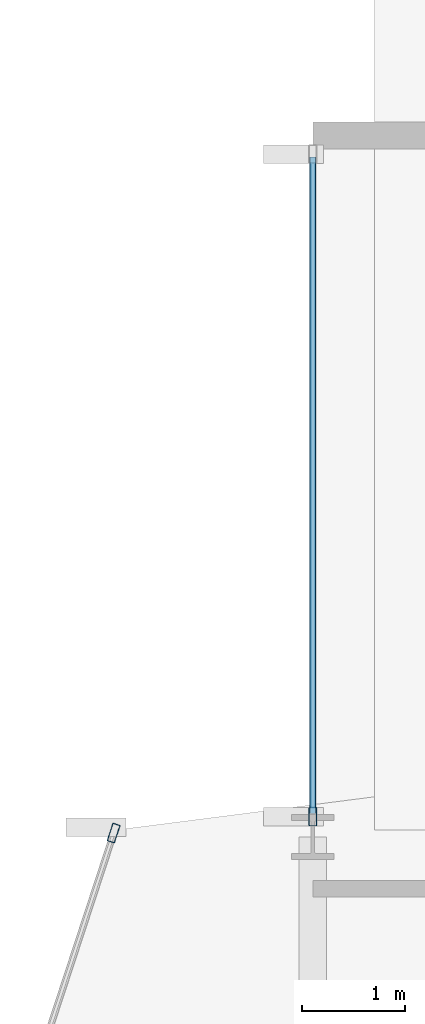
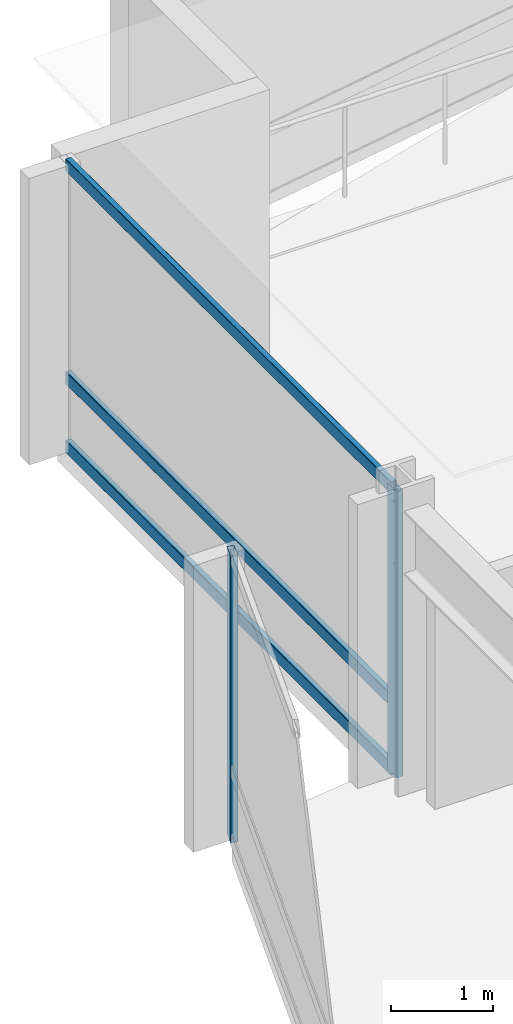
# One storey, part 16 of 29: 5 members, 2 elements without a shape of their own.
"""IFC4 building model written with IfcOpenShell, lengths in metres."""

from ifc_helpers import new_model, si_unit, direction, frame, origin, origin_2d, place, context, subcontext, project, spatial, hollow_rectangle, extrude, material, layer, layer_set, material_profile, profile_set, type_object, element, aggregate, save


model = new_model("IFC4")

# Units and contexts
model_context = context("Model", 3, precision=1e-05, world=origin(), true_north=direction((0.0, 1.0)))
body_context = subcontext(model_context, "Body", "Model", "MODEL_VIEW")
ifc_project = project(units=[si_unit("LENGTHUNIT", "METRE"), si_unit("AREAUNIT", "SQUARE_METRE"), si_unit("VOLUMEUNIT", "CUBIC_METRE"), si_unit("PLANEANGLEUNIT", "RADIAN"), si_unit("MASSUNIT", "GRAM", prefix="KILO")], contexts=[model_context])

# Site, building, storey
site_placement = place(None, origin())
site = spatial("IfcSite", under=ifc_project, at=site_placement, CompositionType="ELEMENT")
building_placement = place(site_placement, origin())
building = spatial("IfcBuilding", under=site, at=building_placement, Name="Solvaryn Broadcast Tower", CompositionType="ELEMENT")
storey_placement = place(building_placement, frame((0.0, 0.0, 147.0)))
storey = spatial("IfcBuildingStorey", under=building, at=storey_placement, Name="L36", CompositionType="ELEMENT", Elevation=147.0)

# Curtain wall, member
ifc_material_1 = material(Name="Aluminium and Terracotta Unitised Curtain Wall", Category="masonry")
ifc_layer = layer(ifc_material_1, 0.199951171875)
ifc_layer_set = layer_set([ifc_layer], Name="CW-SYS2-LOWMID")
curtain_wall_type = type_object("IfcCurtainWallType", Name="CW-SYS2-LOWMID", PredefinedType="NOTDEFINED", material=ifc_layer_set)
curtain_wall_1_placement = place(storey_placement, origin())
curtain_wall_1 = element("IfcCurtainWall", 1, at=curtain_wall_1_placement, inside=storey, type_object=curtain_wall_type, Name="L36 Curtain Wall DR1", PredefinedType="NOTDEFINED")
ifc_material_2 = material(Name="Anodised Aluminium 6063-T6", Category="aluminium")
ifc_material_profile_1 = material_profile(ifc_material_2, hollow_rectangle(XDim=0.074951171875, YDim=0.179931640625, WallThickness=0.00390625, InnerFilletRadius=0.00390625, OuterFilletRadius=0.008056640625, at=origin_2d()))
ifc_profile_set_1 = profile_set([ifc_material_profile_1], Name="Anodised Aluminium 6063-T6")
member_type_1 = type_object("IfcMemberType", Name="CW-MUL-180", PredefinedType="MULLION", material=ifc_profile_set_1)
member_1_placement = place(storey_placement, frame((7.069580078125, 45.03857421875, 0.0), z_axis=(0.0, 0.0, 1.0), x_axis=(0.950198260794, -0.311646057547, 0.0)))
member_1 = element("IfcMember", 2, at=member_1_placement, type_object=member_type_1, Name="CWS2 mullion 1", PredefinedType="MULLION", context=body_context, shape_type="SweptSolid", body=[
    extrude(hollow_rectangle(XDim=0.074951171875, YDim=0.179931640625, WallThickness=0.00390625, InnerFilletRadius=0.00390625, OuterFilletRadius=0.008056640625, at=origin_2d()), origin(), (0.0, 0.0, 1.0), 3.419921875),
])
aggregate(curtain_wall_1, [member_1])

# Curtain wall, members
curtain_wall_2_placement = place(storey_placement, origin())
curtain_wall_2 = element("IfcCurtainWall", 3, at=curtain_wall_2_placement, inside=storey, type_object=curtain_wall_type, Name="L36 Curtain Wall W2", PredefinedType="NOTDEFINED")
member_2_placement = place(storey_placement, frame((9.0, 45.197021484375, 0.0), z_axis=(0.0, 0.0, 1.0), x_axis=(-1.0, 0.0, 0.0)))
member_2 = element("IfcMember", 4, at=member_2_placement, type_object=member_type_1, Name="CWS2 mullion 1", PredefinedType="MULLION", context=body_context, shape_type="SweptSolid", body=[
    extrude(hollow_rectangle(XDim=0.074951171875, YDim=0.179931640625, WallThickness=0.00390625, InnerFilletRadius=0.00390625, OuterFilletRadius=0.008056640625, at=origin_2d()), origin(), (0.0, 0.0, 1.0), 3.419921875),
])
ifc_material_3 = material(Name="Anodised Aluminium 6063-T6", Category="aluminium")
ifc_material_profile_2 = material_profile(ifc_material_3, hollow_rectangle(XDim=0.06494140625, YDim=0.14990234375, WallThickness=0.00390625, InnerFilletRadius=0.00390625, OuterFilletRadius=0.008056640625, at=origin_2d()))
ifc_profile_set_2 = profile_set([ifc_material_profile_2], Name="Anodised Aluminium 6063-T6")
member_type_2 = type_object("IfcMemberType", Name="CW-TRN-150", PredefinedType="USERDEFINED", material=ifc_profile_set_2)
member_3_placement = place(storey_placement, frame((9.0, 45.22705078125, 0.030029296875), z_axis=(0.0, 1.0, 0.0), x_axis=(-1.0, 0.0, 0.0)))
member_3 = element("IfcMember", 5, at=member_3_placement, type_object=member_type_2, Name="CWS2 transom 1.1", ObjectType="TRANSOM", PredefinedType="USERDEFINED", context=body_context, shape_type="SweptSolid", body=[
    extrude(hollow_rectangle(XDim=0.06494140625, YDim=0.14990234375, WallThickness=0.00390625, InnerFilletRadius=0.00390625, OuterFilletRadius=0.008056640625, at=origin_2d()), origin(), (0.0, 0.0, 1.0), 6.363037109375),
])
member_4_placement = place(storey_placement, frame((9.0, 45.22705078125, 0.85009765625), z_axis=(0.0, 1.0, 0.0), x_axis=(-1.0, 0.0, 0.0)))
member_4 = element("IfcMember", 6, at=member_4_placement, type_object=member_type_2, Name="CWS2 transom 1.2", ObjectType="TRANSOM", PredefinedType="USERDEFINED", context=body_context, shape_type="SweptSolid", body=[
    extrude(hollow_rectangle(XDim=0.06494140625, YDim=0.14990234375, WallThickness=0.00390625, InnerFilletRadius=0.00390625, OuterFilletRadius=0.008056640625, at=origin_2d()), origin(), (0.0, 0.0, 1.0), 6.363037109375),
])
member_5_placement = place(storey_placement, frame((9.0, 45.22705078125, 3.389892578125), z_axis=(0.0, 1.0, 0.0), x_axis=(-1.0, 0.0, 0.0)))
member_5 = element("IfcMember", 7, at=member_5_placement, type_object=member_type_2, Name="CWS2 transom 1.3", ObjectType="TRANSOM", PredefinedType="USERDEFINED", context=body_context, shape_type="SweptSolid", body=[
    extrude(hollow_rectangle(XDim=0.06494140625, YDim=0.14990234375, WallThickness=0.00390625, InnerFilletRadius=0.00390625, OuterFilletRadius=0.008056640625, at=origin_2d()), origin(), (0.0, 0.0, 1.0), 6.363037109375),
])
aggregate(curtain_wall_2, [member_2, member_3, member_4, member_5])

save(model, "model.ifc")
